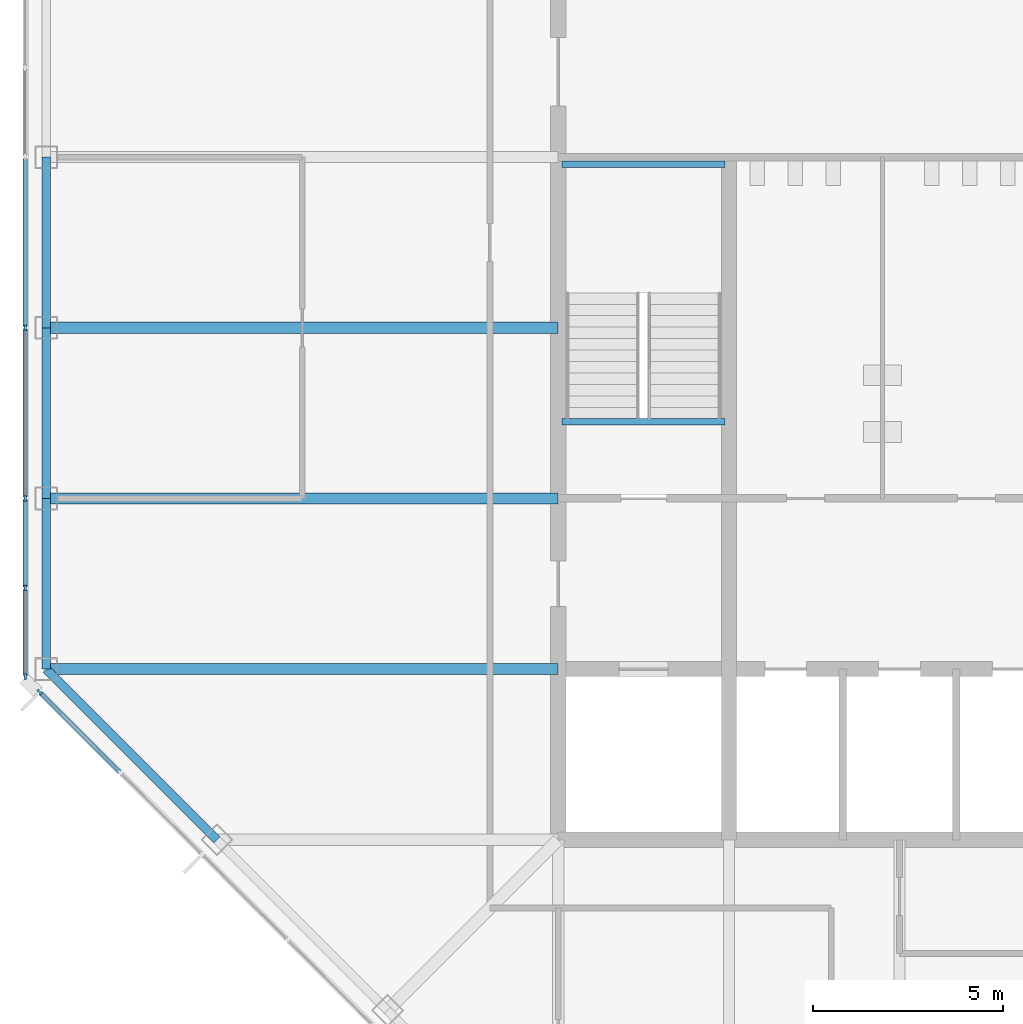
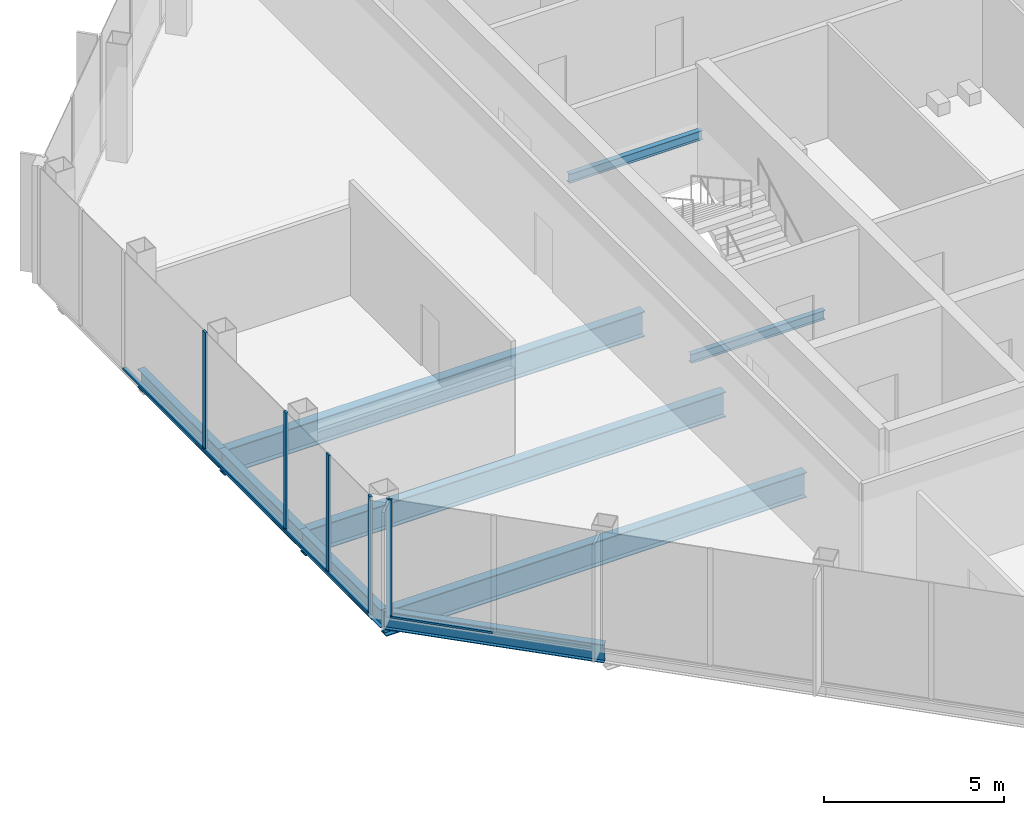
# One storey, part 3 of 13: 10 members, 9 beams, 2 elements without a shape of their own.
"""IFC4 building model written with IfcOpenShell, lengths in metres."""

from ifc_helpers import new_model, si_unit, direction, frame, origin, origin_2d, place, context, subcontext, project, spatial, rectangle, i_section, extrude, material, material_profile, profile_set, type_object, element, aggregate, save


model = new_model("IFC4")

# Units and contexts
model_context = context("Model", 3, precision=1e-05, world=origin(), true_north=direction((0.0, 1.0)))
body_context = subcontext(model_context, "Body", "Model", "MODEL_VIEW")
ifc_project = project(units=[si_unit("LENGTHUNIT", "METRE"), si_unit("AREAUNIT", "SQUARE_METRE"), si_unit("VOLUMEUNIT", "CUBIC_METRE"), si_unit("PLANEANGLEUNIT", "RADIAN"), si_unit("MASSUNIT", "GRAM", prefix="KILO")], contexts=[model_context])

# Site, building, storey
site_placement = place(None, origin())
site = spatial("IfcSite", under=ifc_project, at=site_placement, CompositionType="ELEMENT")
building_placement = place(site_placement, origin())
building = spatial("IfcBuilding", under=site, at=building_placement, Name="Corais Broadcast Tower", CompositionType="ELEMENT")
storey_placement = place(building_placement, frame((0.0, 0.0, 270.60009765625)))
storey = spatial("IfcBuildingStorey", under=building, at=storey_placement, Name="L63", CompositionType="ELEMENT", Elevation=270.60009765625)

# Beams
ifc_material_1 = material(Name="Steel ASTM A572 Grade 50", Category="steel")
ifc_material_profile_1 = material_profile(ifc_material_1, i_section(OverallWidth=0.2939453125, OverallDepth=0.85107421875, WebThickness=0.01611328125, FlangeThickness=0.02685546875, at=origin_2d()), Name="W840x226")
ifc_profile_set_1 = profile_set([ifc_material_profile_1], Name="Steel ASTM A572 Grade 50")
beam_type_1 = type_object("IfcBeamType", Name="Floor beam W840x226", PredefinedType="BEAM", material=ifc_profile_set_1)
for number, where, z_axis, x_axis, name in (
    (1, (0.0, 18.0, -0.585693359375), (1.0, 0.0, 0.0), (0.0, 1.0, 0.0), "B1 E/3 to E/6"),
    (2, (0.0, 22.5, -0.585693359375), (1.0, 0.0, 0.0), (0.0, 1.0, 0.0), "B1 F/3 to F/6"),
    (3, (0.0, 27.0, -0.585693359375), (1.0, 0.0, 0.0), (0.0, 1.0, 0.0), "B1 G/3 to G/6"),
):
    element("IfcBeam", number, at=place(storey_placement, frame(where, z_axis=z_axis, x_axis=x_axis)), inside=storey, type_object=beam_type_1, Name=name, PredefinedType="BEAM", context=body_context, shape_type="SweptSolid", body=[
        extrude(i_section(OverallWidth=0.2939453125, OverallDepth=0.85107421875, WebThickness=0.01611328125, FlangeThickness=0.02685546875, at=origin_2d()), origin(), (0.0, 0.0, 1.0), 13.5),
    ])
ifc_material_2 = material(Name="Steel ASTM A572 Grade 50", Category="steel")
ifc_material_profile_2 = material_profile(ifc_material_2, i_section(OverallWidth=0.1650390625, OverallDepth=0.31005859375, WebThickness=0.005859375, FlangeThickness=0.009765625, at=origin_2d()), Name="W310x38.7")
ifc_profile_set_2 = profile_set([ifc_material_profile_2], Name="Steel ASTM A572 Grade 50")
beam_type_2 = type_object("IfcBeamType", Name="Landing trimmer W310x38.7", PredefinedType="BEAM", material=ifc_profile_set_2)
for number, where, z_axis, x_axis, name in (
    (4, (13.60009765625, 24.52490234375, -0.35498046875), (1.0, 0.0, 0.0), (0.0, 1.0, 0.0), "LT1 stair A landing trimmer L63"),
    (5, (13.60009765625, 31.31005859375, 1.64501953125), (1.0, 0.0, 0.0), (0.0, 1.0, 0.0), "LT1 stair A half landing trimmer L63"),
):
    element("IfcBeam", number, at=place(storey_placement, frame(where, z_axis=z_axis, x_axis=x_axis)), inside=storey, type_object=beam_type_2, Name=name, PredefinedType="BEAM", context=body_context, shape_type="SweptSolid", body=[
        extrude(i_section(OverallWidth=0.1650390625, OverallDepth=0.31005859375, WebThickness=0.005859375, FlangeThickness=0.009765625, at=origin_2d()), origin(), (0.0, 0.0, 1.0), 4.2998046875),
    ])

# Curtain wall, member
ifc_material_3 = material(Name="Aluminium and glass", Category="aluminium")
curtain_wall_type = type_object("IfcCurtainWallType", Name="Unitised fritted curtain wall CW3", PredefinedType="NOTDEFINED", material=ifc_material_3)
curtain_wall_1_placement = place(storey_placement, origin())
curtain_wall_1 = element("IfcCurtainWall", 6, at=curtain_wall_1_placement, inside=storey, type_object=curtain_wall_type, Name="CW3 curtain wall L63 1", PredefinedType="NOTDEFINED")
ifc_material_4 = material(Name="Aluminium 6063-T6", Category="aluminium")
ifc_material_profile_3 = material_profile(ifc_material_4, rectangle(XDim=0.06494140625, YDim=0.159912109375, at=origin_2d()), Name="Mullion CW3 65x160")
ifc_profile_set_3 = profile_set([ifc_material_profile_3], Name="Aluminium 6063-T6")
member_type_1 = type_object("IfcMemberType", Name="Mullion CW3 65x160", PredefinedType="MULLION", material=ifc_profile_set_3)
member_1_placement = place(storey_placement, frame((-0.17333984375, 17.3955078125, 0.0), z_axis=(0.0, 0.0, 1.0), x_axis=(-0.707106781187, -0.707106781187, 0.0)))
member_1 = element("IfcMember", 7, at=member_1_placement, type_object=member_type_1, Name="CW3 mullion 9", PredefinedType="MULLION", context=body_context, shape_type="SweptSolid", body=[
    extrude(rectangle(XDim=0.06494140625, YDim=0.159912109375, at=origin_2d()), origin(), (0.0, 0.0, 1.0), 4.0),
])

# Curtain wall, members
curtain_wall_2_placement = place(storey_placement, origin())
curtain_wall_2 = element("IfcCurtainWall", 8, at=curtain_wall_2_placement, inside=storey, type_object=curtain_wall_type, Name="CW3 curtain wall L63 2", PredefinedType="NOTDEFINED")
member_2_placement = place(storey_placement, frame((-0.550048828125, 17.8046875, 0.0), z_axis=(0.0, 0.0, 1.0), x_axis=(-1.0, 0.0, 0.0)))
member_2 = element("IfcMember", 9, at=member_2_placement, type_object=member_type_1, Name="CW3 mullion 1", PredefinedType="MULLION", context=body_context, shape_type="SweptSolid", body=[
    extrude(rectangle(XDim=0.06494140625, YDim=0.159912109375, at=origin_2d()), origin(), (0.0, 0.0, 1.0), 4.0),
])
member_3_placement = place(storey_placement, frame((-0.550048828125, 20.135986328125, 0.0), z_axis=(0.0, 0.0, 1.0), x_axis=(-1.0, 0.0, 0.0)))
member_3 = element("IfcMember", 10, at=member_3_placement, type_object=member_type_1, Name="CW3 mullion 2", PredefinedType="MULLION", context=body_context, shape_type="SweptSolid", body=[
    extrude(rectangle(XDim=0.06494140625, YDim=0.159912109375, at=origin_2d()), origin(), (0.0, 0.0, 1.0), 4.0),
])
member_4_placement = place(storey_placement, frame((-0.550048828125, 22.5, 0.0), z_axis=(0.0, 0.0, 1.0), x_axis=(-1.0, 0.0, 0.0)))
member_4 = element("IfcMember", 11, at=member_4_placement, type_object=member_type_1, Name="CW3 mullion 3", PredefinedType="MULLION", context=body_context, shape_type="SweptSolid", body=[
    extrude(rectangle(XDim=0.06494140625, YDim=0.159912109375, at=origin_2d()), origin(), (0.0, 0.0, 1.0), 4.0),
])
member_5_placement = place(storey_placement, frame((-0.550048828125, 27.0, 0.0), z_axis=(0.0, 0.0, 1.0), x_axis=(-1.0, 0.0, 0.0)))
member_5 = element("IfcMember", 12, at=member_5_placement, type_object=member_type_1, Name="CW3 mullion 4", PredefinedType="MULLION", context=body_context, shape_type="SweptSolid", body=[
    extrude(rectangle(XDim=0.06494140625, YDim=0.159912109375, at=origin_2d()), origin(), (0.0, 0.0, 1.0), 4.0),
])

# Beams
ifc_material_5 = material(Name="Steel ASTM A572 Grade 50", Category="steel")
ifc_material_profile_4 = material_profile(ifc_material_5, i_section(OverallWidth=0.22998046875, OverallDepth=0.616943359375, WebThickness=0.01318359375, FlangeThickness=0.022216796875, at=origin_2d()), Name="W610x140")
ifc_profile_set_4 = profile_set([ifc_material_profile_4], Name="Steel ASTM A572 Grade 50")
beam_type_3 = type_object("IfcBeamType", Name="Spandrel W610x140", PredefinedType="BEAM", material=ifc_profile_set_4)
beam_placement = place(storey_placement, frame((0.0, 18.0, -0.468505859375), z_axis=(0.707106781187, -0.707106781187, 0.0), x_axis=(0.707106781187, 0.707106781187, 0.0)))
element("IfcBeam", 13, at=beam_placement, inside=storey, type_object=beam_type_3, Name="SB3 E/3 to D/4", PredefinedType="BEAM", context=body_context, shape_type="SweptSolid", body=[
    extrude(i_section(OverallWidth=0.22998046875, OverallDepth=0.616943359375, WebThickness=0.01318359375, FlangeThickness=0.022216796875, at=origin_2d()), origin(), (0.0, 0.0, 1.0), 6.364013671875),
])
for number, where, z_axis, x_axis, name in (
    (14, (0.0, 22.5, -0.468505859375), (0.0, -1.0, 0.0), (1.0, 0.0, 0.0), "SB3 F/3 to E/3"),
    (15, (0.0, 27.0, -0.468505859375), (0.0, -1.0, 0.0), (1.0, 0.0, 0.0), "SB3 G/3 to F/3"),
    (16, (0.0, 31.5, -0.468505859375), (0.0, -1.0, 0.0), (1.0, 0.0, 0.0), "SB3 H/3 to G/3"),
):
    element("IfcBeam", number, at=place(storey_placement, frame(where, z_axis=z_axis, x_axis=x_axis)), inside=storey, type_object=beam_type_3, Name=name, PredefinedType="BEAM", context=body_context, shape_type="SweptSolid", body=[
        extrude(i_section(OverallWidth=0.22998046875, OverallDepth=0.616943359375, WebThickness=0.01318359375, FlangeThickness=0.022216796875, at=origin_2d()), origin(), (0.0, 0.0, 1.0), 4.5),
    ])

# Member
ifc_material_6 = material(Name="Aluminium 6063-T6", Category="aluminium")
ifc_material_profile_5 = material_profile(ifc_material_6, rectangle(XDim=0.1201171875, YDim=0.06494140625, at=origin_2d()), Name="Transom CW3 65x120")
ifc_profile_set_5 = profile_set([ifc_material_profile_5], Name="Aluminium 6063-T6")
member_type_2 = type_object("IfcMemberType", Name="Transom CW3 65x120", PredefinedType="USERDEFINED", material=ifc_profile_set_5)
member_6_placement = place(storey_placement, frame((1.934326171875, 15.287841796875, 0.032470703125), z_axis=(-0.707106781187, 0.707106781187, 0.0), x_axis=(-0.707106781187, -0.707106781187, 0.0)))
member_6 = element("IfcMember", 17, at=member_6_placement, type_object=member_type_2, Name="CW3 transom 8.1", ObjectType="TRANSOM", PredefinedType="USERDEFINED", context=body_context, shape_type="SweptSolid", body=[
    extrude(rectangle(XDim=0.1201171875, YDim=0.06494140625, at=origin_2d()), origin(), (0.0, 0.0, 1.0), 2.9482421875),
])

aggregate(curtain_wall_1, [member_1, member_6])

member_7_placement = place(storey_placement, frame((-0.550048828125, 17.837158203125, 0.032470703125), z_axis=(0.0, 1.0, 0.0), x_axis=(-1.0, 0.0, 0.0)))
member_7 = element("IfcMember", 18, at=member_7_placement, type_object=member_type_2, Name="CW3 transom 1.1", ObjectType="TRANSOM", PredefinedType="USERDEFINED", context=body_context, shape_type="SweptSolid", body=[
    extrude(rectangle(XDim=0.1201171875, YDim=0.06494140625, at=origin_2d()), origin(), (0.0, 0.0, 1.0), 2.266357421875),
])

member_8_placement = place(storey_placement, frame((-0.550048828125, 20.168701171875, 0.032470703125), z_axis=(0.0, 1.0, 0.0), x_axis=(-1.0, 0.0, 0.0)))
member_8 = element("IfcMember", 19, at=member_8_placement, type_object=member_type_2, Name="CW3 transom 2.1", ObjectType="TRANSOM", PredefinedType="USERDEFINED", context=body_context, shape_type="SweptSolid", body=[
    extrude(rectangle(XDim=0.1201171875, YDim=0.06494140625, at=origin_2d()), origin(), (0.0, 0.0, 1.0), 2.298828125),
])

member_9_placement = place(storey_placement, frame((-0.550048828125, 22.532470703125, 0.032470703125), z_axis=(0.0, 1.0, 0.0), x_axis=(-1.0, 0.0, 0.0)))
member_9 = element("IfcMember", 20, at=member_9_placement, type_object=member_type_2, Name="CW3 transom 3.1", ObjectType="TRANSOM", PredefinedType="USERDEFINED", context=body_context, shape_type="SweptSolid", body=[
    extrude(rectangle(XDim=0.1201171875, YDim=0.06494140625, at=origin_2d()), origin(), (0.0, 0.0, 1.0), 4.43505859375),
])

member_10_placement = place(storey_placement, frame((-0.550048828125, 27.032470703125, 0.032470703125), z_axis=(0.0, 1.0, 0.0), x_axis=(-1.0, 0.0, 0.0)))
member_10 = element("IfcMember", 21, at=member_10_placement, type_object=member_type_2, Name="CW3 transom 4.1", ObjectType="TRANSOM", PredefinedType="USERDEFINED", context=body_context, shape_type="SweptSolid", body=[
    extrude(rectangle(XDim=0.1201171875, YDim=0.06494140625, at=origin_2d()), origin(), (0.0, 0.0, 1.0), 4.43505859375),
])

aggregate(curtain_wall_2, [member_2, member_3, member_4, member_5, member_7, member_8, member_9, member_10])

save(model, "model.ifc")
